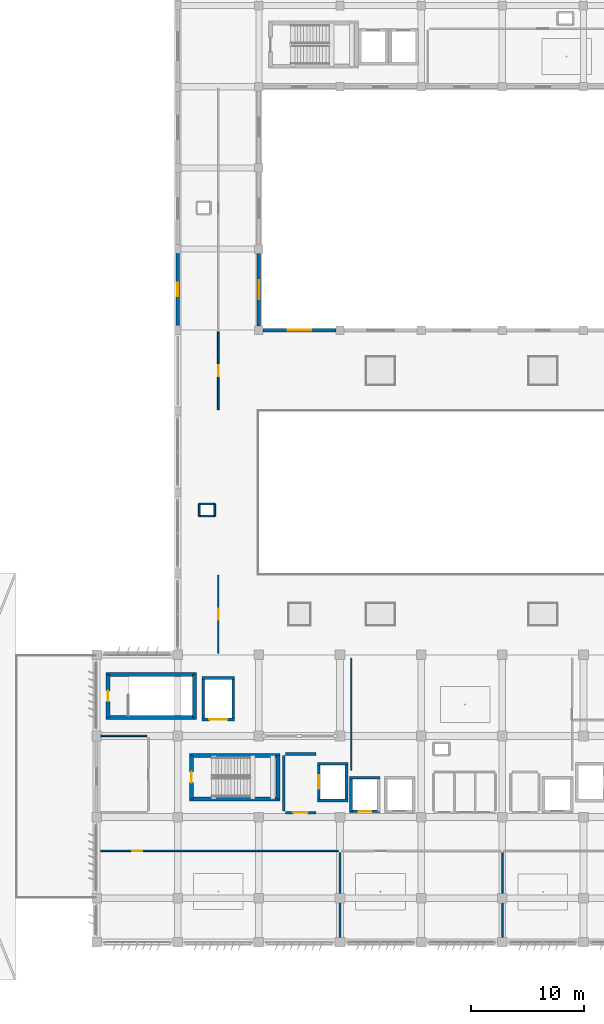
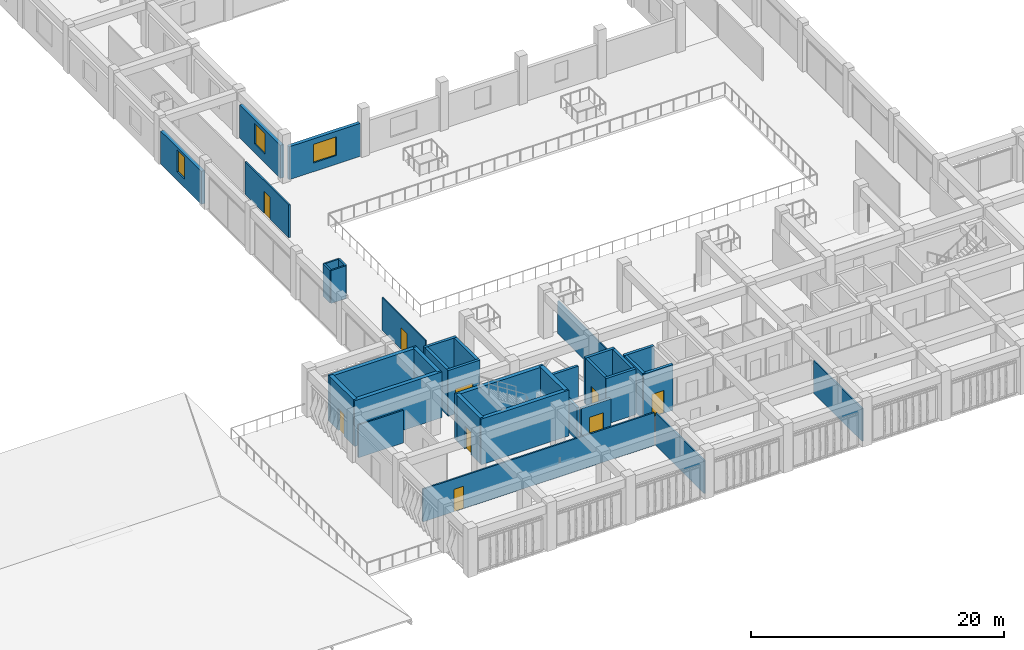
# One storey, part 30 of 55: 36 walls, 9 doors, 3 windows, 12 openings.
"""IFC4 building model written with IfcOpenShell, lengths in metres."""

import ifcopenshell
import ifcopenshell.guid

model = None  # the IFC model being written
_history = None  # IfcOwnerHistory: only IFC2X3 demands one
_inside = {}  # id of a spatial element -> (the spatial element, [elements in it])
_under = {}  # id of a project, library or spatial element -> (it, [spatial elements below it])
_declared = {}  # id of a project -> (the project, [libraries it declares])
_typed = {}  # id of a type object -> (the type object, [elements of that type])
_made_of = {}  # id of a material, layer set ... -> (it, [elements and type objects made of it])


def new_model(schema):
    """Start an empty IFC model of exactly this schema.

    Asked for "IFC4X3", IfcOpenShell would pick the latest addendum, in which some entities
    have other attributes; the version numbers below select the first issue.
    IFC2X3 requires an IfcOwnerHistory on every rooted entity: one is made here for all.
    """
    global model, _history
    if schema == "IFC4X3":
        model = ifcopenshell.file(schema_version=(4, 3, 0, 0))
    else:
        model = ifcopenshell.file(schema=schema)
    _inside.clear()
    _under.clear()
    _declared.clear()
    _typed.clear()
    _made_of.clear()
    _history = None
    if model.schema == "IFC2X3":
        org = make("IfcOrganization", Name="unknown")
        user = make(
            "IfcPersonAndOrganization",
            ThePerson=make("IfcPerson", FamilyName="unknown"),
            TheOrganization=org,
        )
        app = make(
            "IfcApplication",
            ApplicationDeveloper=org,
            Version="unknown",
            ApplicationFullName="unknown",
            ApplicationIdentifier="unknown",
        )
        _history = make(
            "IfcOwnerHistory",
            OwningUser=user,
            OwningApplication=app,
            ChangeAction="ADDED",
            CreationDate=0,
        )
    return model


def make(cls, **values):
    """One entity of the class cls with the attributes given. An attribute that is None is left unset."""
    return model.create_entity(
        cls, **{name: value for name, value in values.items() if value is not None}
    )


def rooted(cls, **values):
    """An entity with a GlobalId (a new one), such as an element, a storey or a relation."""
    return make(cls, GlobalId=ifcopenshell.guid.new(), OwnerHistory=_history, **values)


def si_unit(unit_type, name, prefix=None):
    """IfcSIUnit, for example si_unit("LENGTHUNIT", "METRE", prefix="MILLI")."""
    return make("IfcSIUnit", UnitType=unit_type, Prefix=prefix, Name=name)


def assignment(units):
    """IfcUnitAssignment: the units of a project."""
    return None if units is None else make("IfcUnitAssignment", Units=units)


def point(xyz):
    """IfcCartesianPoint."""
    return None if xyz is None else make("IfcCartesianPoint", Coordinates=xyz)


def direction(xyz):
    """IfcDirection."""
    return None if xyz is None else make("IfcDirection", DirectionRatios=xyz)


def frame(location, z_axis=None, x_axis=None):
    """IfcAxis2Placement3D, a coordinate frame: its origin and axes. An axis left out is left unset."""
    return make(
        "IfcAxis2Placement3D",
        Location=point(location),
        Axis=direction(z_axis),
        RefDirection=direction(x_axis),
    )


def frame_2d(location, x_axis=None):
    """IfcAxis2Placement2D, a coordinate frame in the plane: its origin and x axis."""
    return make(
        "IfcAxis2Placement2D", Location=point(location), RefDirection=direction(x_axis)
    )


def origin():
    """The frame at (0, 0, 0) with its axes left unset."""
    return frame((0.0, 0.0, 0.0))


def place(relative_to, where):
    """IfcLocalPlacement: puts the frame where relative to a parent placement (None: the world)."""
    return make(
        "IfcLocalPlacement", PlacementRelTo=relative_to, RelativePlacement=where
    )


def context(
    kind, dimensions, precision=None, world=None, true_north=None, identifier=None
):
    """IfcGeometricRepresentationContext, for example the 3D "Model" context."""
    return make(
        "IfcGeometricRepresentationContext",
        ContextIdentifier=identifier,
        ContextType=kind,
        CoordinateSpaceDimension=dimensions,
        Precision=precision,
        WorldCoordinateSystem=world,
        TrueNorth=true_north,
    )


def subcontext(parent, identifier, kind, view, scale=None):
    """IfcGeometricRepresentationSubContext, for example "Body" below "Model"."""
    return make(
        "IfcGeometricRepresentationSubContext",
        ContextIdentifier=identifier,
        ContextType=kind,
        ParentContext=parent,
        TargetScale=scale,
        TargetView=view,
    )


def project(units=None, contexts=None):
    """IfcProject with its units and contexts."""
    return rooted(
        "IfcProject",
        Name="project",
        RepresentationContexts=contexts,
        UnitsInContext=assignment(units),
    )


def spatial(cls, under=None, at=None, **own):
    """A site, building, storey or space (cls), placed at a placement, below another one or the project."""
    s = rooted(cls, ObjectPlacement=at, **own)
    if under is not None:
        _under.setdefault(under.id(), (under, []))[1].append(s)
    return s


def profile(cls, at=None, kind="AREA", **sizes):
    """A parametric profile (cls). Its sizes go by their IFC names, for example OverallWidth=200.0."""
    return make(cls, ProfileType=kind, Position=at, **sizes)


def rectangle(**sizes):
    """IfcRectangleProfileDef."""
    return profile("IfcRectangleProfileDef", **sizes)


def extrude(swept, where, along, depth):
    """IfcExtrudedAreaSolid: the profile swept, set in the frame where, extruded along a direction by depth."""
    return make(
        "IfcExtrudedAreaSolid",
        SweptArea=swept,
        Position=where,
        ExtrudedDirection=direction(along),
        Depth=depth,
    )


def shape(context_of_items, identifier, shape_type, items):
    """IfcShapeRepresentation: the items that make up one representation, for example the "Body"."""
    return make(
        "IfcShapeRepresentation",
        ContextOfItems=context_of_items,
        RepresentationIdentifier=identifier,
        RepresentationType=shape_type,
        Items=items,
    )


def material(Name=None, Category=None):
    """IfcMaterial."""
    return make("IfcMaterial", Name=Name, Category=Category)


def layer(
    of_material, thickness, ventilated=None, Name=None, Category=None, Priority=None
):
    """IfcMaterialLayer: one layer of a wall or slab, of a material (None: an air gap)."""
    return make(
        "IfcMaterialLayer",
        Material=of_material,
        LayerThickness=thickness,
        IsVentilated=ventilated,
        Name=Name,
        Category=Category,
        Priority=Priority,
    )


def layer_set(layers, Name=None):
    """IfcMaterialLayerSet."""
    return make("IfcMaterialLayerSet", MaterialLayers=layers, LayerSetName=Name)


def made_of(thing, what):
    """Note that an element or type object is made of a material, layer set ...; save() writes the relation."""
    if what is not None:
        _made_of.setdefault(what.id(), (what, []))[1].append(thing)
    return thing


def type_object(cls, material=None, **own):
    """A type object (cls), such as IfcWallType, which elements share."""
    return made_of(rooted(cls, **own), material)


def element(
    cls,
    number,
    at=None,
    inside=None,
    cuts=None,
    type_object=None,
    material=None,
    context=None,
    identifier="Body",
    shape_type=None,
    held_by="IfcProductDefinitionShape",
    body=None,
    shapes=None,
    **own,
):
    """One element of the class cls, such as IfcWall. Its Tag is "e" and its number.

    at: its placement. inside: the storey or other place that contains it. cuts: it is an
    opening in that element (IfcRelVoidsElement). A single representation is given by context,
    identifier, shape_type and body (its items); several are given by shapes. held_by: the class
    of the entity that holds the representations. save() writes the other relations.
    """
    e = rooted(cls, Tag="e%d" % number, ObjectPlacement=at, **own)
    if body is not None:
        shapes = [shape(context, identifier, shape_type, body)]
    if shapes is not None:
        e.Representation = make(held_by, Representations=shapes)
    if inside is not None:
        _inside.setdefault(inside.id(), (inside, []))[1].append(e)
    if cuts is not None:
        rooted(
            "IfcRelVoidsElement", RelatingBuildingElement=cuts, RelatedOpeningElement=e
        )
    if type_object is not None:
        _typed.setdefault(type_object.id(), (type_object, []))[1].append(e)
    return made_of(e, material)


def fill(opening, filler):
    """IfcRelFillsElement: the door or window that sits in an opening."""
    return rooted(
        "IfcRelFillsElement",
        RelatingOpeningElement=opening,
        RelatedBuildingElement=filler,
    )


def aggregate(whole, parts):
    """IfcRelAggregates: a whole, such as a stair, and the parts it consists of."""
    return rooted("IfcRelAggregates", RelatingObject=whole, RelatedObjects=parts)


def save(model, path):
    """Write the relations noted so far, then the file.

    IfcRelAggregates (storeys below a building ...), IfcRelContainedInSpatialStructure (elements
    in a storey), IfcRelDefinesByType, IfcRelAssociatesMaterial and IfcRelDeclares: one each for
    every whole, place, type object, material and project.
    """
    for whole, parts in _under.values():
        aggregate(whole, parts)
    for where, things in _inside.values():
        rooted(
            "IfcRelContainedInSpatialStructure",
            RelatedElements=things,
            RelatingStructure=where,
        )
    for kind, things in _typed.values():
        rooted("IfcRelDefinesByType", RelatedObjects=things, RelatingType=kind)
    for what, things in _made_of.values():
        rooted("IfcRelAssociatesMaterial", RelatedObjects=things, RelatingMaterial=what)
    for by, libraries in _declared.values():
        rooted("IfcRelDeclares", RelatingContext=by, RelatedDefinitions=libraries)
    model.write(path)


model = new_model("IFC4")

# Units and contexts
model_context = context("Model", 3, precision=1e-05, world=origin(), true_north=direction((0.0, 1.0)))
body_context = subcontext(model_context, "Body", "Model", "MODEL_VIEW")
ifc_project = project(units=[si_unit("LENGTHUNIT", "METRE"), si_unit("AREAUNIT", "SQUARE_METRE"), si_unit("VOLUMEUNIT", "CUBIC_METRE"), si_unit("PLANEANGLEUNIT", "RADIAN"), si_unit("MASSUNIT", "GRAM", prefix="KILO")], contexts=[model_context])

# Site, building, storey
site_placement = place(None, origin())
site = spatial("IfcSite", under=ifc_project, at=site_placement, CompositionType="ELEMENT")
building_placement = place(site_placement, origin())
building = spatial("IfcBuilding", under=site, at=building_placement, Name="Kazehaya Institute of Natural Sciences", CompositionType="ELEMENT")
storey_placement = place(building_placement, frame((0.0, 0.0, 15.1201171875)))
storey = spatial("IfcBuildingStorey", under=building, at=storey_placement, Name="L03", CompositionType="ELEMENT", Elevation=15.1201171875)

# Walls
ifc_material_1 = material(Name="Concrete Fc42", Category="concrete")
ifc_layer_1 = layer(ifc_material_1, 0.35009765625, Name="Concrete Fc42", Category="concrete")
ifc_layer_set_1 = layer_set([ifc_layer_1], Name="Concrete Fc42")
wall_type_1 = type_object("IfcWallType", Name="WL-CORE-350", PredefinedType="SHEAR", material=ifc_layer_set_1)
for number, where, z_axis, x_axis, name in (
    (1, (70.85498046875, 22.820068359375, 0.0), (0.0, 0.0, 1.0), (-1.0, 0.0, 0.0), "L03 ST-1 core wall S"),
    (2, (62.844970703125, 26.659912109375, 0.0), (0.0, 0.0, 1.0), (1.0, 0.0, 0.0), "L03 ST-1 core wall N"),
):
    element("IfcWall", number, at=place(storey_placement, frame(where, z_axis=z_axis, x_axis=x_axis)), inside=storey, type_object=wall_type_1, Name=name, PredefinedType="SHEAR", context=body_context, shape_type="SweptSolid", body=[
        extrude(rectangle(XDim=8.010009765625, YDim=0.35009765625, at=frame_2d((4.0048828125, 0.0))), origin(), (0.0, 0.0, 1.0), 4.409912109375),
    ])

# Wall, opening, door
wall_1_placement = place(storey_placement, frame((63.02001953125, 22.820068359375, 0.0), z_axis=(0.0, 0.0, 1.0), x_axis=(0.0, 1.0, 0.0)))
wall_1 = element("IfcWall", 3, at=wall_1_placement, inside=storey, type_object=wall_type_1, Name="L03 ST-1 core wall W", PredefinedType="SHEAR", context=body_context, shape_type="SweptSolid", body=[
    extrude(rectangle(XDim=3.83984375, YDim=0.35009765625, at=frame_2d((1.919921875, 0.0))), origin(), (0.0, 0.0, 1.0), 4.409912109375),
])
opening_1_placement = place(wall_1_placement, frame((1.449951171875, 0.0, 0.0)))
opening_1 = element("IfcOpeningElement", 4, at=opening_1_placement, cuts=wall_1, Name="Opening D-ST-005", PredefinedType="OPENING", context=body_context, shape_type="SweptSolid", body=[
    extrude(rectangle(XDim=0.93994140625, YDim=2.179931640625, at=frame_2d((0.469970703125, 1.08984375))), frame((0.0, 0.18505859375, 0.0), z_axis=(0.0, -1.0, 0.0), x_axis=(1.0, 0.0, 0.0)), (0.0, 0.0, 1.0), 0.3701171875),
])
ifc_material_2 = material(Name="Fire-rated steel acoustic door", Category="steel")
door_type_1 = type_object("IfcDoorType", Name="DT-FD-06", OperationType="NOTDEFINED", PredefinedType="DOOR", material=ifc_material_2)
door_1_placement = place(opening_1_placement, origin())
door_1 = element("IfcDoor", 5, at=door_1_placement, inside=storey, type_object=door_type_1, Name="L03 ST-1 stair enclosure door D-ST-005", OperationType="SINGLE_SWING_LEFT", OverallHeight=2.179931640625, OverallWidth=0.93994140625, PredefinedType="DOOR", context=body_context, shape_type="SweptSolid", body=[
    extrude(rectangle(XDim=0.93994140625, YDim=2.179931640625, at=frame_2d((0.469970703125, 1.08984375))), frame((0.0, 0.02490234375, 0.0), z_axis=(0.0, -1.0, 0.0), x_axis=(1.0, 0.0, 0.0)), (0.0, 0.0, 1.0), 0.050048828125),
])
fill(opening_1, door_1)

# Walls
wall_2_placement = place(storey_placement, frame((70.679931640625, 26.659912109375, 0.0), z_axis=(0.0, 0.0, 1.0), x_axis=(0.0, -1.0, 0.0)))
element("IfcWall", 6, at=wall_2_placement, inside=storey, type_object=wall_type_1, Name="L03 ST-1 core wall E", PredefinedType="SHEAR", context=body_context, shape_type="SweptSolid", body=[
    extrude(rectangle(XDim=3.83984375, YDim=0.35009765625, at=frame_2d((1.919921875, 0.0))), origin(), (0.0, 0.0, 1.0), 4.409912109375),
])
for number, where, z_axis, x_axis, name in (
    (7, (63.455078125, 30.02001953125, 0.0), (0.0, 0.0, 1.0), (-1.0, 0.0, 0.0), "L03 ST-4 core wall S"),
    (8, (55.445068359375, 33.860107421875, 0.0), (0.0, 0.0, 1.0), (1.0, 0.0, 0.0), "L03 ST-4 core wall N"),
):
    element("IfcWall", number, at=place(storey_placement, frame(where, z_axis=z_axis, x_axis=x_axis)), inside=storey, type_object=wall_type_1, Name=name, PredefinedType="SHEAR", context=body_context, shape_type="SweptSolid", body=[
        extrude(rectangle(XDim=8.010009765625, YDim=0.35009765625, at=frame_2d((4.0048828125, 0.0))), origin(), (0.0, 0.0, 1.0), 4.409912109375),
    ])

# Wall, opening, door
wall_3_placement = place(storey_placement, frame((55.6201171875, 30.02001953125, 0.0), z_axis=(0.0, 0.0, 1.0), x_axis=(0.0, 1.0, 0.0)))
wall_3 = element("IfcWall", 9, at=wall_3_placement, inside=storey, type_object=wall_type_1, Name="L03 ST-4 core wall W", PredefinedType="SHEAR", context=body_context, shape_type="SweptSolid", body=[
    extrude(rectangle(XDim=3.840087890625, YDim=0.35009765625, at=frame_2d((1.919921875, 0.0))), origin(), (0.0, 0.0, 1.0), 4.409912109375),
])
opening_2_placement = place(wall_3_placement, frame((1.449951171875, 0.0, 0.0)))
opening_2 = element("IfcOpeningElement", 10, at=opening_2_placement, cuts=wall_3, Name="Opening D-ST-034", PredefinedType="OPENING", context=body_context, shape_type="SweptSolid", body=[
    extrude(rectangle(XDim=0.93994140625, YDim=2.1201171875, at=frame_2d((0.469970703125, 1.06005859375))), frame((0.0, 0.18505859375, 0.0), z_axis=(0.0, -1.0, 0.0), x_axis=(1.0, 0.0, 0.0)), (0.0, 0.0, 1.0), 0.3701171875),
])
door_type_2 = type_object("IfcDoorType", Name="DT-FD-05", OperationType="NOTDEFINED", PredefinedType="DOOR", material=ifc_material_2)
door_2_placement = place(opening_2_placement, origin())
door_2 = element("IfcDoor", 11, at=door_2_placement, inside=storey, type_object=door_type_2, Name="L03 ST-4 stair enclosure door D-ST-034", OperationType="SINGLE_SWING_RIGHT", OverallHeight=2.1201171875, OverallWidth=0.93994140625, PredefinedType="DOOR", context=body_context, shape_type="SweptSolid", body=[
    extrude(rectangle(XDim=0.93994140625, YDim=2.1201171875, at=frame_2d((0.469970703125, 1.06005859375))), frame((0.0, 0.02490234375, 0.0), z_axis=(0.0, -1.0, 0.0), x_axis=(1.0, 0.0, 0.0)), (0.0, 0.0, 1.0), 0.050048828125),
])
fill(opening_2, door_2)

# Wall
wall_4_placement = place(storey_placement, frame((63.280029296875, 33.860107421875, 0.0), z_axis=(0.0, 0.0, 1.0), x_axis=(0.0, -1.0, 0.0)))
element("IfcWall", 12, at=wall_4_placement, inside=storey, type_object=wall_type_1, Name="L03 ST-4 core wall E", PredefinedType="SHEAR", context=body_context, shape_type="SweptSolid", body=[
    extrude(rectangle(XDim=3.840087890625, YDim=0.35009765625, at=frame_2d((1.919921875, 0.0))), origin(), (0.0, 0.0, 1.0), 4.409912109375),
])

# Wall, opening, window
ifc_material_3 = material(Name="Precast concrete Fc36", Category="concrete")
ifc_layer_2 = layer(ifc_material_3, 0.31005859375, Name="Precast concrete Fc36", Category="concrete")
ifc_layer_set_2 = layer_set([ifc_layer_2], Name="Precast concrete Fc36")
wall_type_2 = type_object("IfcWallType", Name="WL-EXT-310", PredefinedType="SOLIDWALL", material=ifc_layer_set_2)
wall_5_placement = place(storey_placement, frame((69.360107421875, 64.39990234375, 0.0), z_axis=(0.0, 0.0, 1.0), x_axis=(1.0, 0.0, 0.0)))
wall_5 = element("IfcWall", 13, at=wall_5_placement, inside=storey, type_object=wall_type_2, Name="L03 exterior wall EW-L03-0232", PredefinedType="SOLIDWALL", context=body_context, shape_type="SweptSolid", body=[
    extrude(rectangle(XDim=6.47998046875, YDim=0.31005859375, at=frame_2d((3.239990234375, 0.0))), origin(), (0.0, 0.0, 1.0), 3.179931640625),
])
opening_3_placement = place(wall_5_placement, frame((2.18994140625, 0.0, 0.85009765625)))
opening_3 = element("IfcOpeningElement", 14, at=opening_3_placement, cuts=wall_5, Name="Opening W12", PredefinedType="OPENING", context=body_context, shape_type="SweptSolid", body=[
    extrude(rectangle(XDim=2.10009765625, YDim=1.800048828125, at=frame_2d((1.050048828125, 0.89990234375))), frame((0.0, 0.1650390625, 0.0), z_axis=(0.0, -1.0, 0.0), x_axis=(1.0, 0.0, 0.0)), (0.0, 0.0, 1.0), 0.330078125),
])
ifc_material_4 = material(Name="Low-E double-glazed aluminium window", Category="aluminium")
window_type_1 = type_object("IfcWindowType", Name="WN-12", PartitioningType="DOUBLE_PANEL_VERTICAL", PredefinedType="WINDOW", material=ifc_material_4)
window_1_placement = place(opening_3_placement, origin())
window_1 = element("IfcWindow", 15, at=window_1_placement, inside=storey, type_object=window_type_1, Name="L03 facade window 0133", OverallHeight=1.800048828125, OverallWidth=2.10009765625, PartitioningType="DOUBLE_PANEL_VERTICAL", PredefinedType="WINDOW", context=body_context, shape_type="SweptSolid", body=[
    extrude(rectangle(XDim=2.10009765625, YDim=1.800048828125, at=frame_2d((1.050048828125, 0.89990234375))), frame((0.0, 0.030029296875, 0.0), z_axis=(0.0, -1.0, 0.0), x_axis=(1.0, 0.0, 0.0)), (0.0, 0.0, 1.0), 0.06005859375),
])
fill(opening_3, window_1)

wall_6_placement = place(storey_placement, frame((69.0, 71.239990234375, 0.0), z_axis=(0.0, 0.0, 1.0), x_axis=(0.0, -1.0, 0.0)))
wall_6 = element("IfcWall", 16, at=wall_6_placement, inside=storey, type_object=wall_type_2, Name="L03 exterior wall EW-L03-0239", PredefinedType="SOLIDWALL", context=body_context, shape_type="SweptSolid", body=[
    extrude(rectangle(XDim=6.47998046875, YDim=0.31005859375, at=frame_2d((3.239990234375, 0.0))), origin(), (0.0, 0.0, 1.0), 3.179931640625),
])
opening_4_placement = place(wall_6_placement, frame((2.389892578125, 0.0, 0.85009765625)))
opening_4 = element("IfcOpeningElement", 17, at=opening_4_placement, cuts=wall_6, Name="Opening W22", PredefinedType="OPENING", context=body_context, shape_type="SweptSolid", body=[
    extrude(rectangle(XDim=1.699951171875, YDim=2.0, at=frame_2d((0.85009765625, 1.0))), frame((0.0, 0.1650390625, 0.0), z_axis=(0.0, -1.0, 0.0), x_axis=(1.0, 0.0, 0.0)), (0.0, 0.0, 1.0), 0.330078125),
])
window_type_2 = type_object("IfcWindowType", Name="WN-22", PartitioningType="SINGLE_PANEL", PredefinedType="WINDOW", material=ifc_material_4)
window_2_placement = place(opening_4_placement, origin())
window_2 = element("IfcWindow", 18, at=window_2_placement, inside=storey, type_object=window_type_2, Name="L03 facade window 0139", OverallHeight=2.0, OverallWidth=1.699951171875, PartitioningType="SINGLE_PANEL", PredefinedType="WINDOW", context=body_context, shape_type="SweptSolid", body=[
    extrude(rectangle(XDim=1.699951171875, YDim=2.0, at=frame_2d((0.85009765625, 1.0))), frame((0.0, 0.030029296875, 0.0), z_axis=(0.0, -1.0, 0.0), x_axis=(1.0, 0.0, 0.0)), (0.0, 0.0, 1.0), 0.06005859375),
])
fill(opening_4, window_2)

ifc_layer_3 = layer(ifc_material_3, 0.320068359375, Name="Precast concrete Fc36", Category="concrete")
ifc_layer_set_3 = layer_set([ifc_layer_3], Name="Precast concrete Fc36")
wall_type_3 = type_object("IfcWallType", Name="WL-EXT-320", PredefinedType="SOLIDWALL", material=ifc_layer_set_3)
wall_7_placement = place(storey_placement, frame((61.800048828125, 64.784912109375, 0.0), z_axis=(0.0, 0.0, 1.0), x_axis=(0.0, 1.0, 0.0)))
wall_7 = element("IfcWall", 19, at=wall_7_placement, inside=storey, type_object=wall_type_3, Name="L03 exterior wall EW-L03-0237", PredefinedType="SOLIDWALL", context=body_context, shape_type="SweptSolid", body=[
    extrude(rectangle(XDim=6.43017578125, YDim=0.320068359375, at=frame_2d((3.215087890625, 0.0))), origin(), (0.0, 0.0, 1.0), 3.179931640625),
])
opening_5_placement = place(wall_7_placement, frame((2.614990234375, 0.0, 0.85009765625)))
opening_5 = element("IfcOpeningElement", 20, at=opening_5_placement, cuts=wall_7, Name="Opening W10", PredefinedType="OPENING", context=body_context, shape_type="SweptSolid", body=[
    extrude(rectangle(XDim=1.199951171875, YDim=2.10009765625, at=frame_2d((0.60009765625, 1.050048828125))), frame((0.0, 0.169921875, 0.0), z_axis=(0.0, -1.0, 0.0), x_axis=(1.0, 0.0, 0.0)), (0.0, 0.0, 1.0), 0.340087890625),
])
window_type_3 = type_object("IfcWindowType", Name="WN-10", PartitioningType="SINGLE_PANEL", PredefinedType="WINDOW", material=ifc_material_4)
window_3_placement = place(opening_5_placement, origin())
window_3 = element("IfcWindow", 21, at=window_3_placement, inside=storey, type_object=window_type_3, Name="L03 facade window 0137", OverallHeight=2.10009765625, OverallWidth=1.199951171875, PartitioningType="SINGLE_PANEL", PredefinedType="WINDOW", context=body_context, shape_type="SweptSolid", body=[
    extrude(rectangle(XDim=1.199951171875, YDim=2.10009765625, at=frame_2d((0.60009765625, 1.050048828125))), frame((0.0, 0.030029296875, 0.0), z_axis=(0.0, -1.0, 0.0), x_axis=(1.0, 0.0, 0.0)), (0.0, 0.0, 1.0), 0.06005859375),
])
fill(opening_5, window_3)

# Wall, opening, door
ifc_material_5 = material(Name="Concrete Fc36", Category="concrete")
ifc_layer_4 = layer(ifc_material_5, 0.22998046875, Name="Concrete Fc36", Category="concrete")
ifc_layer_set_4 = layer_set([ifc_layer_4], Name="Concrete Fc36")
wall_type_4 = type_object("IfcWallType", Name="WL-FFL-230", PredefinedType="PARTITIONING", material=ifc_layer_set_4)
wall_8_placement = place(storey_placement, frame((74.050048828125, 21.60009765625, 0.0), z_axis=(0.0, 0.0, 1.0), x_axis=(-1.0, 0.0, 0.0)))
wall_8 = element("IfcWall", 22, at=wall_8_placement, inside=storey, type_object=wall_type_4, Name="L03 West Firefighting Lift Lobby partition IW-L03-0173", PredefinedType="PARTITIONING", context=body_context, shape_type="SweptSolid", body=[
    extrude(rectangle(XDim=2.699951171875, YDim=0.22998046875, at=frame_2d((1.35009765625, 0.0))), origin(), (0.0, 0.0, 1.0), 3.159912109375),
])
opening_6_placement = place(wall_8_placement, frame((0.719970703125, 0.0, 0.0)))
opening_6 = element("IfcOpeningElement", 23, at=opening_6_placement, cuts=wall_8, Name="Opening D-L03-0119", PredefinedType="OPENING", context=body_context, shape_type="SweptSolid", body=[
    extrude(rectangle(XDim=1.260009765625, YDim=2.06005859375, at=frame_2d((0.6298828125, 1.030029296875))), frame((0.0, 0.125, 0.0), z_axis=(0.0, -1.0, 0.0), x_axis=(1.0, 0.0, 0.0)), (0.0, 0.0, 1.0), 0.25),
])
door_type_3 = type_object("IfcDoorType", Name="DT-FD-28", OperationType="NOTDEFINED", PredefinedType="DOOR", material=ifc_material_2)
door_3_placement = place(opening_6_placement, origin())
door_3 = element("IfcDoor", 24, at=door_3_placement, inside=storey, type_object=door_type_3, Name="L03 West Firefighting Lift Lobby door D-L03-0119", OperationType="SINGLE_SWING_LEFT", OverallHeight=2.06005859375, OverallWidth=1.260009765625, PredefinedType="DOOR", context=body_context, shape_type="SweptSolid", body=[
    extrude(rectangle(XDim=1.260009765625, YDim=2.06005859375, at=frame_2d((0.6298828125, 1.030029296875))), frame((0.0, 0.02490234375, 0.0), z_axis=(0.0, -1.0, 0.0), x_axis=(1.0, 0.0, 0.0)), (0.0, 0.0, 1.0), 0.050048828125),
])
fill(opening_6, door_3)

# Walls
wall_9_placement = place(storey_placement, frame((71.35009765625, 26.800048828125, 0.0), z_axis=(0.0, 0.0, 1.0), x_axis=(1.0, 0.0, 0.0)))
element("IfcWall", 25, at=wall_9_placement, inside=storey, type_object=wall_type_4, Name="L03 West Firefighting Lift Lobby partition IW-L03-0174", PredefinedType="PARTITIONING", context=body_context, shape_type="SweptSolid", body=[
    extrude(rectangle(XDim=2.699951171875, YDim=0.22998046875, at=frame_2d((1.35009765625, 0.0))), origin(), (0.0, 0.0, 1.0), 3.159912109375),
])
wall_10_placement = place(storey_placement, frame((71.199951171875, 21.75, 0.0), z_axis=(0.0, 0.0, 1.0), x_axis=(0.0, 1.0, 0.0)))
element("IfcWall", 26, at=wall_10_placement, inside=storey, type_object=wall_type_4, Name="L03 West Firefighting Lift Lobby partition IW-L03-0175", PredefinedType="PARTITIONING", context=body_context, shape_type="SweptSolid", body=[
    extrude(rectangle(XDim=4.89990234375, YDim=0.22998046875, at=frame_2d((2.449951171875, 0.0))), origin(), (0.0, 0.0, 1.0), 3.159912109375),
])

# Wall, opening, door
ifc_material_6 = material(Name="Lightweight chase partition")
ifc_layer_5 = layer(ifc_material_6, 0.10009765625, Name="Lightweight chase partition")
ifc_layer_set_5 = layer_set([ifc_layer_5], Name="Lightweight chase partition")
wall_type_5 = type_object("IfcWallType", Name="WL-PART-100", PredefinedType="PARTITIONING", material=ifc_layer_set_5)
wall_11_placement = place(storey_placement, frame((65.39990234375, 35.75, 0.0), z_axis=(0.0, 0.0, 1.0), x_axis=(0.0, 1.0, 0.0)))
wall_11 = element("IfcWall", 27, at=wall_11_placement, inside=storey, type_object=wall_type_5, Name="L03 Atrium Gallery Lounge partition IW-L03-0205", PredefinedType="PARTITIONING", context=body_context, shape_type="SweptSolid", body=[
    extrude(rectangle(XDim=6.89990234375, YDim=0.10009765625, at=frame_2d((3.449951171875, 0.0))), origin(), (0.0, 0.0, 1.0), 3.159912109375),
])
opening_7_placement = place(wall_11_placement, frame((2.969970703125, 0.0, 0.0)))
opening_7 = element("IfcOpeningElement", 28, at=opening_7_placement, cuts=wall_11, Name="Opening D-L03-0131", PredefinedType="OPENING", context=body_context, shape_type="SweptSolid", body=[
    extrude(rectangle(XDim=0.9599609375, YDim=2.050048828125, at=frame_2d((0.47998046875, 1.02490234375))), frame((0.0, 0.06005859375, 0.0), z_axis=(0.0, -1.0, 0.0), x_axis=(1.0, 0.0, 0.0)), (0.0, 0.0, 1.0), 0.1201171875),
])
ifc_material_7 = material(Name="Flush timber and aluminium laboratory door", Category="wood")
door_type_4 = type_object("IfcDoorType", Name="DT-INT-09", OperationType="NOTDEFINED", PredefinedType="DOOR", material=ifc_material_7)
door_4_placement = place(opening_7_placement, origin())
door_4 = element("IfcDoor", 29, at=door_4_placement, inside=storey, type_object=door_type_4, Name="L03 Atrium Gallery Lounge door D-L03-0131", OperationType="SINGLE_SWING_LEFT", OverallHeight=2.050048828125, OverallWidth=0.9599609375, PredefinedType="DOOR", context=body_context, shape_type="SweptSolid", body=[
    extrude(rectangle(XDim=0.9599609375, YDim=2.050048828125, at=frame_2d((0.47998046875, 1.02490234375))), frame((0.0, 0.02490234375, 0.0), z_axis=(0.0, -1.0, 0.0), x_axis=(1.0, 0.0, 0.0)), (0.0, 0.0, 1.0), 0.050048828125),
])
fill(opening_7, door_4)

# Walls
ifc_material_8 = material(Name="Glazed office demountable partition")
ifc_layer_6 = layer(ifc_material_8, 0.110107421875, Name="Glazed office demountable partition")
ifc_layer_set_6 = layer_set([ifc_layer_6], Name="Glazed office demountable partition")
wall_type_6 = type_object("IfcWallType", Name="WL-PART-110", PredefinedType="PARTITIONING", material=ifc_layer_set_6)
wall_12_placement = place(storey_placement, frame((77.199951171875, 25.35009765625, 0.0), z_axis=(0.0, 0.0, 1.0), x_axis=(0.0, 1.0, 0.0)))
element("IfcWall", 30, at=wall_12_placement, inside=storey, type_object=wall_type_6, Name="L03 Isotope Geochemistry Laboratory partition IW-L03-0198", PredefinedType="PARTITIONING", context=body_context, shape_type="SweptSolid", body=[
    extrude(rectangle(XDim=9.949951171875, YDim=0.110107421875, at=frame_2d((4.97509765625, 0.0))), origin(), (0.0, 0.0, 1.0), 3.159912109375),
])
ifc_material_9 = material(Name="Moisture-resistant WC partition")
ifc_layer_7 = layer(ifc_material_9, 0.1298828125, Name="Moisture-resistant WC partition")
ifc_layer_set_7 = layer_set([ifc_layer_7], Name="Moisture-resistant WC partition")
wall_type_7 = type_object("IfcWallType", Name="WL-PART-130", PredefinedType="PARTITIONING", material=ifc_layer_set_7)
wall_13_placement = place(storey_placement, frame((90.60009765625, 18.050048828125, 0.0), z_axis=(0.0, 0.0, 1.0), x_axis=(0.0, -1.0, 0.0)))
element("IfcWall", 31, at=wall_13_placement, inside=storey, type_object=wall_type_7, Name="L03 Marine Biogeochemistry Laboratory partition IW-L03-0196", PredefinedType="PARTITIONING", context=body_context, shape_type="SweptSolid", body=[
    extrude(rectangle(XDim=7.650146484375, YDim=0.1298828125, at=frame_2d((3.8251953125, 0.0))), origin(), (0.0, 0.0, 1.0), 3.159912109375),
])
wall_14_placement = place(storey_placement, frame((54.949951171875, 28.39990234375, 0.0), z_axis=(0.0, 0.0, 1.0), x_axis=(1.0, 0.0, 0.0)))
element("IfcWall", 32, at=wall_14_placement, inside=storey, type_object=wall_type_7, Name="L03 Collaborative Research Lounge partition IW-L03-0203", PredefinedType="PARTITIONING", context=body_context, shape_type="SweptSolid", body=[
    extrude(rectangle(XDim=4.10009765625, YDim=0.1298828125, at=frame_2d((2.050048828125, 0.0))), origin(), (0.0, 0.0, 1.0), 3.159912109375),
])

# Wall, opening, door
ifc_material_10 = material(Name="Gypsum partition", Category="gypsum")
ifc_layer_8 = layer(ifc_material_10, 0.139892578125, Name="Gypsum partition", Category="gypsum")
ifc_layer_set_8 = layer_set([ifc_layer_8], Name="Gypsum partition")
wall_type_8 = type_object("IfcWallType", Name="WL-PART-140", PredefinedType="PARTITIONING", material=ifc_layer_set_8)
wall_15_placement = place(storey_placement, frame((54.949951171875, 18.199951171875, 0.0), z_axis=(0.0, 0.0, 1.0), x_axis=(1.0, 0.0, 0.0)))
wall_15 = element("IfcWall", 33, at=wall_15_placement, inside=storey, type_object=wall_type_8, Name="L03 Environmental Genomics Laboratory partition IW-L03-0193", PredefinedType="PARTITIONING", context=body_context, shape_type="SweptSolid", body=[
    extrude(rectangle(XDim=21.10009765625, YDim=0.139892578125, at=frame_2d((10.550048828125, 0.0))), origin(), (0.0, 0.0, 1.0), 3.159912109375),
])
opening_8_placement = place(wall_15_placement, frame((2.800048828125, 0.0, 0.0)))
opening_8 = element("IfcOpeningElement", 34, at=opening_8_placement, cuts=wall_15, Name="Opening D-L03-0125", PredefinedType="OPENING", context=body_context, shape_type="SweptSolid", body=[
    extrude(rectangle(XDim=0.89990234375, YDim=2.159912109375, at=frame_2d((0.449951171875, 1.080078125))), frame((0.0, 0.079833984375, 0.0), z_axis=(0.0, -1.0, 0.0), x_axis=(1.0, 0.0, 0.0)), (0.0, 0.0, 1.0), 0.159912109375),
])
door_type_5 = type_object("IfcDoorType", Name="DT-INT-03", OperationType="NOTDEFINED", PredefinedType="DOOR", material=ifc_material_7)
door_5_placement = place(opening_8_placement, origin())
door_5 = element("IfcDoor", 35, at=door_5_placement, inside=storey, type_object=door_type_5, Name="L03 Environmental Genomics Laboratory door D-L03-0125", OperationType="SINGLE_SWING_LEFT", OverallHeight=2.159912109375, OverallWidth=0.89990234375, PredefinedType="DOOR", context=body_context, shape_type="SweptSolid", body=[
    extrude(rectangle(XDim=0.89990234375, YDim=2.159912109375, at=frame_2d((0.449951171875, 1.080078125))), frame((0.0, 0.02490234375, 0.0), z_axis=(0.0, -1.0, 0.0), x_axis=(1.0, 0.0, 0.0)), (0.0, 0.0, 1.0), 0.050048828125),
])
fill(opening_8, door_5)

# Wall
wall_16_placement = place(storey_placement, frame((76.199951171875, 18.050048828125, 0.0), z_axis=(0.0, 0.0, 1.0), x_axis=(0.0, -1.0, 0.0)))
element("IfcWall", 36, at=wall_16_placement, inside=storey, type_object=wall_type_8, Name="L03 Environmental Genomics Laboratory partition IW-L03-0194", PredefinedType="PARTITIONING", context=body_context, shape_type="SweptSolid", body=[
    extrude(rectangle(XDim=7.650146484375, YDim=0.139892578125, at=frame_2d((3.8251953125, 0.0))), origin(), (0.0, 0.0, 1.0), 3.159912109375),
])

# Wall, opening, door
wall_17_placement = place(storey_placement, frame((65.39990234375, 57.35009765625, 0.0), z_axis=(0.0, 0.0, 1.0), x_axis=(0.0, 1.0, 0.0)))
wall_17 = element("IfcWall", 37, at=wall_17_placement, inside=storey, type_object=wall_type_8, Name="L03 Atrium North Study Gallery partition IW-L03-0207", PredefinedType="PARTITIONING", context=body_context, shape_type="SweptSolid", body=[
    extrude(rectangle(XDim=6.89990234375, YDim=0.139892578125, at=frame_2d((3.449951171875, 0.0))), origin(), (0.0, 0.0, 1.0), 3.159912109375),
])
opening_9_placement = place(wall_17_placement, frame((2.969970703125, 0.0, 0.0)))
opening_9 = element("IfcOpeningElement", 38, at=opening_9_placement, cuts=wall_17, Name="Opening D-L03-0132", PredefinedType="OPENING", context=body_context, shape_type="SweptSolid", body=[
    extrude(rectangle(XDim=0.9599609375, YDim=2.10009765625, at=frame_2d((0.47998046875, 1.050048828125))), frame((0.0, 0.079833984375, 0.0), z_axis=(0.0, -1.0, 0.0), x_axis=(1.0, 0.0, 0.0)), (0.0, 0.0, 1.0), 0.159912109375),
])
door_type_6 = type_object("IfcDoorType", Name="DT-INT-10", OperationType="NOTDEFINED", PredefinedType="DOOR", material=ifc_material_7)
door_6_placement = place(opening_9_placement, origin())
door_6 = element("IfcDoor", 39, at=door_6_placement, inside=storey, type_object=door_type_6, Name="L03 Atrium North Study Gallery door D-L03-0132", OperationType="SINGLE_SWING_RIGHT", OverallHeight=2.10009765625, OverallWidth=0.9599609375, PredefinedType="DOOR", context=body_context, shape_type="SweptSolid", body=[
    extrude(rectangle(XDim=0.9599609375, YDim=2.10009765625, at=frame_2d((0.47998046875, 1.050048828125))), frame((0.0, 0.02490234375, 0.0), z_axis=(0.0, -1.0, 0.0), x_axis=(1.0, 0.0, 0.0)), (0.0, 0.0, 1.0), 0.050048828125),
])
fill(opening_9, door_6)

# Walls
ifc_layer_9 = layer(ifc_material_5, 0.14990234375, Name="Concrete Fc36", Category="concrete")
ifc_layer_set_9 = layer_set([ifc_layer_9], Name="Concrete Fc36")
wall_type_9 = type_object("IfcWallType", Name="WL-RISER-150", PredefinedType="PARTITIONING", material=ifc_layer_set_9)
for number, where, z_axis, x_axis, name in (
    (40, (65.0849609375, 47.9150390625, 0.0), (0.0, 0.0, 1.0), (-1.0, 0.0, 0.0), "L03 fume exhaust riser shaft wall 31"),
    (41, (63.715087890625, 48.985107421875, 0.0), (0.0, 0.0, 1.0), (1.0, 0.0, 0.0), "L03 fume exhaust riser shaft wall 31"),
):
    element("IfcWall", number, at=place(storey_placement, frame(where, z_axis=z_axis, x_axis=x_axis)), inside=storey, type_object=wall_type_9, Name=name, PredefinedType="PARTITIONING", context=body_context, shape_type="SweptSolid", body=[
        extrude(rectangle(XDim=1.369873046875, YDim=0.14990234375, at=frame_2d((0.68505859375, 0.0))), origin(), (0.0, 0.0, 1.0), 3.159912109375),
    ])
for number, where, z_axis, x_axis, name in (
    (42, (63.715087890625, 47.9150390625, 0.0), (0.0, 0.0, 1.0), (0.0, 1.0, 0.0), "L03 fume exhaust riser shaft wall 31"),
    (43, (65.0849609375, 48.985107421875, 0.0), (0.0, 0.0, 1.0), (0.0, -1.0, 0.0), "L03 fume exhaust riser shaft wall 31"),
):
    element("IfcWall", number, at=place(storey_placement, frame(where, z_axis=z_axis, x_axis=x_axis)), inside=storey, type_object=wall_type_9, Name=name, PredefinedType="PARTITIONING", context=body_context, shape_type="SweptSolid", body=[
        extrude(rectangle(XDim=1.070068359375, YDim=0.14990234375, at=frame_2d((0.53515625, 0.0))), origin(), (0.0, 0.0, 1.0), 3.159912109375),
    ])
ifc_layer_10 = layer(ifc_material_1, 0.25, Name="Concrete Fc42", Category="concrete")
ifc_layer_set_10 = layer_set([ifc_layer_10], Name="Concrete Fc42")
wall_type_10 = type_object("IfcWallType", Name="WL-SHAFT-250", PredefinedType="SHEAR", material=ifc_layer_set_10)
for number, where, z_axis, x_axis, name in (
    (44, (76.909912109375, 22.6650390625, 0.0), (0.0, 0.0, 1.0), (-1.0, 0.0, 0.0), "L03 EL07 lift shaft wall south"),
    (45, (74.18994140625, 25.93505859375, 0.0), (0.0, 0.0, 1.0), (1.0, 0.0, 0.0), "L03 EL07 lift shaft wall north"),
):
    element("IfcWall", number, at=place(storey_placement, frame(where, z_axis=z_axis, x_axis=x_axis)), inside=storey, type_object=wall_type_10, Name=name, PredefinedType="SHEAR", context=body_context, shape_type="SweptSolid", body=[
        extrude(rectangle(XDim=2.719970703125, YDim=0.25, at=frame_2d((1.35986328125, 0.0))), origin(), (0.0, 0.0, 1.0), 4.409912109375),
    ])

# Wall, opening, door
wall_18_placement = place(storey_placement, frame((74.31494140625, 22.6650390625, 0.0), z_axis=(0.0, 0.0, 1.0), x_axis=(0.0, 1.0, 0.0)))
wall_18 = element("IfcWall", 46, at=wall_18_placement, inside=storey, type_object=wall_type_10, Name="L03 EL07 lift shaft wall west", PredefinedType="SHEAR", context=body_context, shape_type="SweptSolid", body=[
    extrude(rectangle(XDim=3.27001953125, YDim=0.25, at=frame_2d((1.635009765625, 0.0))), origin(), (0.0, 0.0, 1.0), 4.409912109375),
])
opening_10_placement = place(wall_18_placement, frame((1.034912109375, 0.0, 0.0)))
opening_10 = element("IfcOpeningElement", 47, at=opening_10_placement, cuts=wall_18, Name="Opening LD-05", PredefinedType="OPENING", context=body_context, shape_type="SweptSolid", body=[
    extrude(rectangle(XDim=1.199951171875, YDim=2.25, at=frame_2d((0.60009765625, 1.125))), frame((0.0, 0.135009765625, 0.0), z_axis=(0.0, -1.0, 0.0), x_axis=(1.0, 0.0, 0.0)), (0.0, 0.0, 1.0), 0.27001953125),
])
ifc_material_11 = material(Name="Stainless-steel emergency lift landing door", Category="steel")
door_type_7 = type_object("IfcDoorType", Name="DT-LD-1200x2250", OperationType="SLIDING_TO_LEFT", PredefinedType="DOOR", material=ifc_material_11)
door_7_placement = place(opening_10_placement, origin())
door_7 = element("IfcDoor", 48, at=door_7_placement, inside=storey, type_object=door_type_7, Name="L03 EL07 sliding landing door LD-05", OperationType="SLIDING_TO_LEFT", OverallHeight=2.25, OverallWidth=1.199951171875, PredefinedType="DOOR", context=body_context, shape_type="SweptSolid", body=[
    extrude(rectangle(XDim=1.199951171875, YDim=2.25, at=frame_2d((0.60009765625, 1.125))), frame((0.0, 0.02490234375, 0.0), z_axis=(0.0, -1.0, 0.0), x_axis=(1.0, 0.0, 0.0)), (0.0, 0.0, 1.0), 0.050048828125),
])
fill(opening_10, door_7)

# Wall
wall_19_placement = place(storey_placement, frame((76.784912109375, 25.93505859375, 0.0), z_axis=(0.0, 0.0, 1.0), x_axis=(0.0, -1.0, 0.0)))
element("IfcWall", 49, at=wall_19_placement, inside=storey, type_object=wall_type_10, Name="L03 EL07 lift shaft wall east", PredefinedType="SHEAR", context=body_context, shape_type="SweptSolid", body=[
    extrude(rectangle(XDim=3.27001953125, YDim=0.25, at=frame_2d((1.635009765625, 0.0))), origin(), (0.0, 0.0, 1.0), 4.409912109375),
])

# Wall, opening, door
wall_20_placement = place(storey_placement, frame((79.760009765625, 21.715087890625, 0.0), z_axis=(0.0, 0.0, 1.0), x_axis=(-1.0, 0.0, 0.0)))
wall_20 = element("IfcWall", 50, at=wall_20_placement, inside=storey, type_object=wall_type_10, Name="L03 EL01 lift shaft wall south", PredefinedType="SHEAR", context=body_context, shape_type="SweptSolid", body=[
    extrude(rectangle(XDim=2.719970703125, YDim=0.25, at=frame_2d((1.35986328125, 0.0))), origin(), (0.0, 0.0, 1.0), 4.409912109375),
])
opening_11_placement = place(wall_20_placement, frame((0.81005859375, 0.0, 0.0)))
opening_11 = element("IfcOpeningElement", 51, at=opening_11_placement, cuts=wall_20, Name="Opening LD-27", PredefinedType="OPENING", context=body_context, shape_type="SweptSolid", body=[
    extrude(rectangle(XDim=1.10009765625, YDim=2.199951171875, at=frame_2d((0.550048828125, 1.10009765625))), frame((0.0, 0.135009765625, 0.0), z_axis=(0.0, -1.0, 0.0), x_axis=(1.0, 0.0, 0.0)), (0.0, 0.0, 1.0), 0.27001953125),
])
ifc_material_12 = material(Name="Stainless-steel sliding landing door", Category="steel")
door_type_8 = type_object("IfcDoorType", Name="DT-LD-1100x2200", OperationType="SLIDING_TO_LEFT", PredefinedType="DOOR", material=ifc_material_12)
door_8_placement = place(opening_11_placement, origin())
door_8 = element("IfcDoor", 52, at=door_8_placement, inside=storey, type_object=door_type_8, Name="L03 EL01 sliding landing door LD-27", OperationType="SLIDING_TO_LEFT", OverallHeight=2.199951171875, OverallWidth=1.10009765625, PredefinedType="DOOR", context=body_context, shape_type="SweptSolid", body=[
    extrude(rectangle(XDim=1.10009765625, YDim=2.199951171875, at=frame_2d((0.550048828125, 1.10009765625))), frame((0.0, 0.02490234375, 0.0), z_axis=(0.0, -1.0, 0.0), x_axis=(1.0, 0.0, 0.0)), (0.0, 0.0, 1.0), 0.050048828125),
])
fill(opening_11, door_8)

# Walls
wall_21_placement = place(storey_placement, frame((77.0400390625, 24.68505859375, 0.0), z_axis=(0.0, 0.0, 1.0), x_axis=(1.0, 0.0, 0.0)))
element("IfcWall", 53, at=wall_21_placement, inside=storey, type_object=wall_type_10, Name="L03 EL01 lift shaft wall north", PredefinedType="SHEAR", context=body_context, shape_type="SweptSolid", body=[
    extrude(rectangle(XDim=2.719970703125, YDim=0.25, at=frame_2d((1.35986328125, 0.0))), origin(), (0.0, 0.0, 1.0), 4.409912109375),
])
wall_22_placement = place(storey_placement, frame((77.1650390625, 21.715087890625, 0.0), z_axis=(0.0, 0.0, 1.0), x_axis=(0.0, 1.0, 0.0)))
element("IfcWall", 54, at=wall_22_placement, inside=storey, type_object=wall_type_10, Name="L03 EL01 lift shaft wall west", PredefinedType="SHEAR", context=body_context, shape_type="SweptSolid", body=[
    extrude(rectangle(XDim=2.969970703125, YDim=0.25, at=frame_2d((1.48486328125, 0.0))), origin(), (0.0, 0.0, 1.0), 4.409912109375),
])

# Wall, opening, door
wall_23_placement = place(storey_placement, frame((66.860107421875, 29.864990234375, 0.0), z_axis=(0.0, 0.0, 1.0), x_axis=(-1.0, 0.0, 0.0)))
wall_23 = element("IfcWall", 55, at=wall_23_placement, inside=storey, type_object=wall_type_10, Name="L03 EL06 lift shaft wall south", PredefinedType="SHEAR", context=body_context, shape_type="SweptSolid", body=[
    extrude(rectangle(XDim=2.920166015625, YDim=0.25, at=frame_2d((1.4599609375, 0.0))), origin(), (0.0, 0.0, 1.0), 4.409912109375),
])
opening_12_placement = place(wall_23_placement, frame((0.659912109375, 0.0, 0.0)))
opening_12 = element("IfcOpeningElement", 56, at=opening_12_placement, cuts=wall_23, Name="Opening LD-76", PredefinedType="OPENING", context=body_context, shape_type="SweptSolid", body=[
    extrude(rectangle(XDim=1.60009765625, YDim=2.39990234375, at=frame_2d((0.800048828125, 1.199951171875))), frame((0.0, 0.135009765625, 0.0), z_axis=(0.0, -1.0, 0.0), x_axis=(1.0, 0.0, 0.0)), (0.0, 0.0, 1.0), 0.27001953125),
])
ifc_material_13 = material(Name="Heavy-duty goods lift sliding landing door")
door_type_9 = type_object("IfcDoorType", Name="DT-LD-1600x2400", OperationType="SLIDING_TO_LEFT", PredefinedType="DOOR", material=ifc_material_13)
door_9_placement = place(opening_12_placement, origin())
door_9 = element("IfcDoor", 57, at=door_9_placement, inside=storey, type_object=door_type_9, Name="L03 EL06 sliding landing door LD-76", OperationType="SLIDING_TO_LEFT", OverallHeight=2.39990234375, OverallWidth=1.60009765625, PredefinedType="DOOR", context=body_context, shape_type="SweptSolid", body=[
    extrude(rectangle(XDim=1.60009765625, YDim=2.39990234375, at=frame_2d((0.800048828125, 1.199951171875))), frame((0.0, 0.02490234375, 0.0), z_axis=(0.0, -1.0, 0.0), x_axis=(1.0, 0.0, 0.0)), (0.0, 0.0, 1.0), 0.050048828125),
])
fill(opening_12, door_9)

# Walls
wall_24_placement = place(storey_placement, frame((63.93994140625, 33.534912109375, 0.0), z_axis=(0.0, 0.0, 1.0), x_axis=(1.0, 0.0, 0.0)))
element("IfcWall", 58, at=wall_24_placement, inside=storey, type_object=wall_type_10, Name="L03 EL06 lift shaft wall north", PredefinedType="SHEAR", context=body_context, shape_type="SweptSolid", body=[
    extrude(rectangle(XDim=2.920166015625, YDim=0.25, at=frame_2d((1.4599609375, 0.0))), origin(), (0.0, 0.0, 1.0), 4.409912109375),
])
for number, where, z_axis, x_axis, name in (
    (59, (64.06494140625, 29.864990234375, 0.0), (0.0, 0.0, 1.0), (0.0, 1.0, 0.0), "L03 EL06 lift shaft wall west"),
    (60, (66.735107421875, 33.534912109375, 0.0), (0.0, 0.0, 1.0), (0.0, -1.0, 0.0), "L03 EL06 lift shaft wall east"),
):
    element("IfcWall", number, at=place(storey_placement, frame(where, z_axis=z_axis, x_axis=x_axis)), inside=storey, type_object=wall_type_10, Name=name, PredefinedType="SHEAR", context=body_context, shape_type="SweptSolid", body=[
        extrude(rectangle(XDim=3.669921875, YDim=0.25, at=frame_2d((1.8349609375, 0.0))), origin(), (0.0, 0.0, 1.0), 4.409912109375),
    ])

save(model, "model.ifc")
